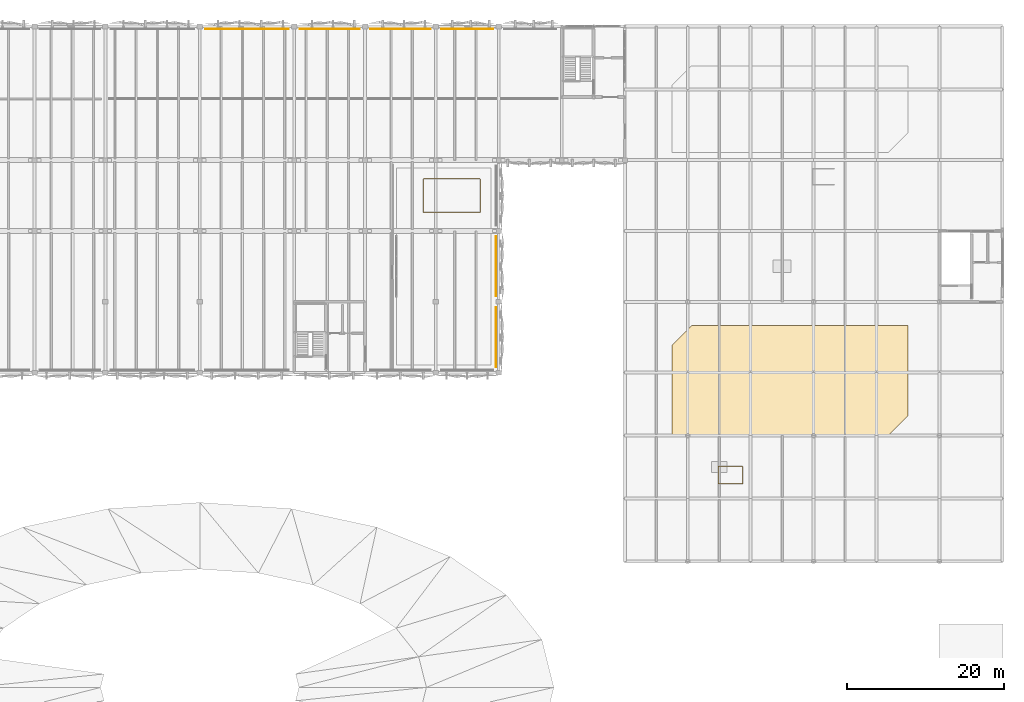
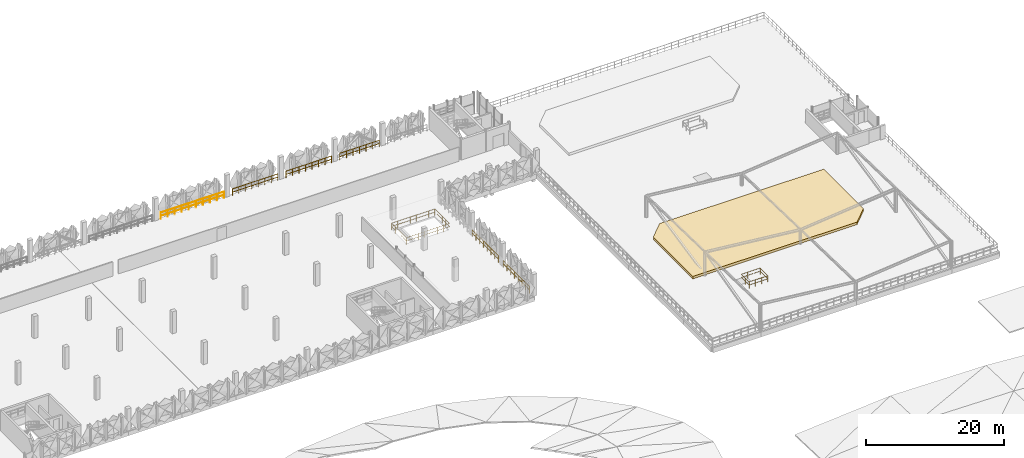
# One storey, part 49 of 52: 8 railings, 1 covering.
"""IFC4 building model written with IfcOpenShell, lengths in metres."""

from ifc_helpers import new_model, si_unit, derived_unit, direction, frame, origin, origin_2d, place, context, subcontext, project, spatial, polyline, circle, outline, extrude, material, layer, layer_set, type_object, element, save


model = new_model("IFC4")

# Units and contexts
model_context = context("Model", 3, precision=1e-05, world=origin(), true_north=direction((0.0, 1.0)))
body_context = subcontext(model_context, "Body", "Model", "MODEL_VIEW")
ifc_project = project(units=[si_unit("LENGTHUNIT", "METRE"), si_unit("AREAUNIT", "SQUARE_METRE"), si_unit("VOLUMEUNIT", "CUBIC_METRE"), si_unit("PLANEANGLEUNIT", "RADIAN"), si_unit("MASSUNIT", "GRAM", prefix="KILO"), si_unit("THERMODYNAMICTEMPERATUREUNIT", "KELVIN"), derived_unit("THERMALTRANSMITTANCEUNIT", [(si_unit("POWERUNIT", "WATT"), 1), (si_unit("AREAUNIT", "SQUARE_METRE"), -1), (si_unit("THERMODYNAMICTEMPERATUREUNIT", "KELVIN"), -1)])], contexts=[model_context])

# Site, building, storey
site_placement = place(None, origin())
site = spatial("IfcSite", under=ifc_project, at=site_placement, CompositionType="ELEMENT")
building_placement = place(site_placement, origin())
building = spatial("IfcBuilding", under=site, at=building_placement, Name="Haiyu Intermodal Mobility Hub", CompositionType="ELEMENT")
storey_placement = place(building_placement, frame((0.0, 0.0, 21.199951171875)))
storey = spatial("IfcBuildingStorey", under=building, at=storey_placement, Name="L05", CompositionType="ELEMENT", Elevation=21.199951171875)

# Covering
ifc_material_1 = material(Name="Acrylic sports court surfacing")
ifc_layer = layer(ifc_material_1, 0.030029296875)
ifc_layer_set = layer_set([ifc_layer], Name="Acrylic sports court surfacing")
covering_type = type_object("IfcCoveringType", Name="COV-CV07", PredefinedType="FLOORING", material=ifc_layer_set)
covering_placement = place(storey_placement, origin())
element("IfcCovering", 1, at=covering_placement, inside=storey, type_object=covering_type, Name="Sponge-City Planted Roof Garden Bed 03", PredefinedType="FLOORING", context=body_context, shape_type="SweptSolid", body=[
    extrude(outline(polyline([(168.0, 96.0), (195.5, 96.0), (198.0, 98.5), (198.0, 110.0), (170.5, 110.0), (168.0, 107.5), (168.0, 96.0)])), origin(), (0.0, 0.0, 1.0), 0.449951171875),
])

# Railings
ifc_material_2 = material(Name="Steel Q355C", Category="steel")
railing_type_1 = type_object("IfcRailingType", Name="RAL-GR01", PredefinedType="GUARDRAIL", material=ifc_material_2)
railing_1_placement = place(storey_placement, frame((119.300048828125, 147.659912109375, 0.0)))
element("IfcRailing", 2, at=railing_1_placement, inside=storey, type_object=railing_type_1, Name="RAL-CAR-N-0060", PredefinedType="GUARDRAIL", context=body_context, shape_type="SweptSolid", body=[
    extrude(circle(Radius=0.02392578125, at=origin_2d()), frame((-0.030029296875, 0.0, 1.17578125), z_axis=(-1.0, 0.0, 0.0), x_axis=(0.0, -1.0, 0.0)), (0.0, 0.0, 1.0), 10.5400390625),
    extrude(circle(Radius=0.02392578125, at=origin_2d()), frame((-0.037353515625, 0.0, 0.60009765625), z_axis=(-1.0, 0.0, 0.0), x_axis=(0.0, -1.0, 0.0)), (0.0, 0.0, 1.0), 1.103271484375),
    extrude(circle(Radius=0.02392578125, at=origin_2d()), frame((-1.215087890625, 0.0, 0.60009765625), z_axis=(-1.0, 0.0, 0.0), x_axis=(0.0, -1.0, 0.0)), (0.0, 0.0, 1.0), 1.103271484375),
    extrude(circle(Radius=0.02392578125, at=origin_2d()), frame((-2.392822265625, 0.0, 0.60009765625), z_axis=(-1.0, 0.0, 0.0), x_axis=(0.0, -1.0, 0.0)), (0.0, 0.0, 1.0), 1.103271484375),
    extrude(circle(Radius=0.02392578125, at=origin_2d()), frame((-3.570556640625, 0.0, 0.60009765625), z_axis=(-1.0, 0.0, 0.0), x_axis=(0.0, -1.0, 0.0)), (0.0, 0.0, 1.0), 1.103271484375),
    extrude(circle(Radius=0.02392578125, at=origin_2d()), frame((-4.74853515625, 0.0, 0.60009765625), z_axis=(-1.0, 0.0, 0.0), x_axis=(0.0, -1.0, 0.0)), (0.0, 0.0, 1.0), 1.103271484375),
    extrude(circle(Radius=0.02392578125, at=origin_2d()), frame((-5.92626953125, 0.0, 0.60009765625), z_axis=(-1.0, 0.0, 0.0), x_axis=(0.0, -1.0, 0.0)), (0.0, 0.0, 1.0), 1.103271484375),
    extrude(circle(Radius=0.02392578125, at=origin_2d()), frame((-7.10400390625, 0.0, 0.60009765625), z_axis=(-1.0, 0.0, 0.0), x_axis=(0.0, -1.0, 0.0)), (0.0, 0.0, 1.0), 1.103271484375),
    extrude(circle(Radius=0.02392578125, at=origin_2d()), frame((-8.28173828125, 0.0, 0.60009765625), z_axis=(-1.0, 0.0, 0.0), x_axis=(0.0, -1.0, 0.0)), (0.0, 0.0, 1.0), 1.103271484375),
    extrude(circle(Radius=0.02392578125, at=origin_2d()), frame((-9.459716796875, 0.0, 0.60009765625), z_axis=(-1.0, 0.0, 0.0), x_axis=(0.0, -1.0, 0.0)), (0.0, 0.0, 1.0), 1.103271484375),
    extrude(circle(Radius=0.02099609375, at=origin_2d()), origin(), (0.0, 0.0, 1.0), 1.143798828125),
    extrude(circle(Radius=0.02099609375, at=origin_2d()), frame((-1.177734375, 0.0, 0.0)), (0.0, 0.0, 1.0), 1.143798828125),
    extrude(circle(Radius=0.02099609375, at=origin_2d()), frame((-2.35546875, 0.0, 0.0)), (0.0, 0.0, 1.0), 1.143798828125),
    extrude(circle(Radius=0.02099609375, at=origin_2d()), frame((-3.533447265625, 0.0, 0.0)), (0.0, 0.0, 1.0), 1.143798828125),
    extrude(circle(Radius=0.02099609375, at=origin_2d()), frame((-4.711181640625, 0.0, 0.0)), (0.0, 0.0, 1.0), 1.143798828125),
    extrude(circle(Radius=0.02099609375, at=origin_2d()), frame((-5.888916015625, 0.0, 0.0)), (0.0, 0.0, 1.0), 1.143798828125),
    extrude(circle(Radius=0.02099609375, at=origin_2d()), frame((-7.066650390625, 0.0, 0.0)), (0.0, 0.0, 1.0), 1.143798828125),
    extrude(circle(Radius=0.02099609375, at=origin_2d()), frame((-8.24462890625, 0.0, 0.0)), (0.0, 0.0, 1.0), 1.143798828125),
    extrude(circle(Radius=0.02099609375, at=origin_2d()), frame((-9.42236328125, 0.0, 0.0)), (0.0, 0.0, 1.0), 1.143798828125),
    extrude(circle(Radius=0.02099609375, at=origin_2d()), frame((-10.60009765625, 0.0, 0.0)), (0.0, 0.0, 1.0), 1.143798828125),
])
railing_2_placement = place(storey_placement, frame((128.300048828125, 147.659912109375, 0.0)))
element("IfcRailing", 3, at=railing_2_placement, inside=storey, type_object=railing_type_1, Name="RAL-CAR-N-0065", PredefinedType="GUARDRAIL", context=body_context, shape_type="SweptSolid", body=[
    extrude(circle(Radius=0.02392578125, at=origin_2d()), frame((-0.030029296875, 0.0, 1.17578125), z_axis=(-1.0, 0.0, 0.0), x_axis=(0.0, -1.0, 0.0)), (0.0, 0.0, 1.0), 7.5400390625),
    extrude(circle(Radius=0.02392578125, at=origin_2d()), frame((-0.037353515625, 0.0, 0.60009765625), z_axis=(-1.0, 0.0, 0.0), x_axis=(0.0, -1.0, 0.0)), (0.0, 0.0, 1.0), 1.01123046875),
    extrude(circle(Radius=0.02392578125, at=origin_2d()), frame((-1.123046875, 0.0, 0.60009765625), z_axis=(-1.0, 0.0, 0.0), x_axis=(0.0, -1.0, 0.0)), (0.0, 0.0, 1.0), 1.01123046875),
    extrude(circle(Radius=0.02392578125, at=origin_2d()), frame((-2.208740234375, 0.0, 0.60009765625), z_axis=(-1.0, 0.0, 0.0), x_axis=(0.0, -1.0, 0.0)), (0.0, 0.0, 1.0), 1.01123046875),
    extrude(circle(Radius=0.02392578125, at=origin_2d()), frame((-3.29443359375, 0.0, 0.60009765625), z_axis=(-1.0, 0.0, 0.0), x_axis=(0.0, -1.0, 0.0)), (0.0, 0.0, 1.0), 1.01123046875),
    extrude(circle(Radius=0.02392578125, at=origin_2d()), frame((-4.380126953125, 0.0, 0.60009765625), z_axis=(-1.0, 0.0, 0.0), x_axis=(0.0, -1.0, 0.0)), (0.0, 0.0, 1.0), 1.01123046875),
    extrude(circle(Radius=0.02392578125, at=origin_2d()), frame((-5.4658203125, 0.0, 0.60009765625), z_axis=(-1.0, 0.0, 0.0), x_axis=(0.0, -1.0, 0.0)), (0.0, 0.0, 1.0), 1.01123046875),
    extrude(circle(Radius=0.02392578125, at=origin_2d()), frame((-6.5517578125, 0.0, 0.60009765625), z_axis=(-1.0, 0.0, 0.0), x_axis=(0.0, -1.0, 0.0)), (0.0, 0.0, 1.0), 1.01123046875),
    extrude(circle(Radius=0.02099609375, at=origin_2d()), origin(), (0.0, 0.0, 1.0), 1.143798828125),
    extrude(circle(Radius=0.02099609375, at=origin_2d()), frame((-1.085693359375, 0.0, 0.0)), (0.0, 0.0, 1.0), 1.143798828125),
    extrude(circle(Radius=0.02099609375, at=origin_2d()), frame((-2.17138671875, 0.0, 0.0)), (0.0, 0.0, 1.0), 1.143798828125),
    extrude(circle(Radius=0.02099609375, at=origin_2d()), frame((-3.257080078125, 0.0, 0.0)), (0.0, 0.0, 1.0), 1.143798828125),
    extrude(circle(Radius=0.02099609375, at=origin_2d()), frame((-4.343017578125, 0.0, 0.0)), (0.0, 0.0, 1.0), 1.143798828125),
    extrude(circle(Radius=0.02099609375, at=origin_2d()), frame((-5.4287109375, 0.0, 0.0)), (0.0, 0.0, 1.0), 1.143798828125),
    extrude(circle(Radius=0.02099609375, at=origin_2d()), frame((-6.514404296875, 0.0, 0.0)), (0.0, 0.0, 1.0), 1.143798828125),
    extrude(circle(Radius=0.02099609375, at=origin_2d()), frame((-7.60009765625, 0.0, 0.0)), (0.0, 0.0, 1.0), 1.143798828125),
])
railing_3_placement = place(storey_placement, frame((137.300048828125, 147.659912109375, 0.0)))
element("IfcRailing", 4, at=railing_3_placement, inside=storey, type_object=railing_type_1, Name="RAL-CAR-N-0071", PredefinedType="GUARDRAIL", context=body_context, shape_type="SweptSolid", body=[
    extrude(circle(Radius=0.02392578125, at=origin_2d()), frame((-0.030029296875, 0.0, 1.17578125), z_axis=(-1.0, 0.0, 0.0), x_axis=(0.0, -1.0, 0.0)), (0.0, 0.0, 1.0), 7.5400390625),
    extrude(circle(Radius=0.02392578125, at=origin_2d()), frame((-0.037353515625, 0.0, 0.60009765625), z_axis=(-1.0, 0.0, 0.0), x_axis=(0.0, -1.0, 0.0)), (0.0, 0.0, 1.0), 1.01123046875),
    extrude(circle(Radius=0.02392578125, at=origin_2d()), frame((-1.123046875, 0.0, 0.60009765625), z_axis=(-1.0, 0.0, 0.0), x_axis=(0.0, -1.0, 0.0)), (0.0, 0.0, 1.0), 1.01123046875),
    extrude(circle(Radius=0.02392578125, at=origin_2d()), frame((-2.208740234375, 0.0, 0.60009765625), z_axis=(-1.0, 0.0, 0.0), x_axis=(0.0, -1.0, 0.0)), (0.0, 0.0, 1.0), 1.01123046875),
    extrude(circle(Radius=0.02392578125, at=origin_2d()), frame((-3.29443359375, 0.0, 0.60009765625), z_axis=(-1.0, 0.0, 0.0), x_axis=(0.0, -1.0, 0.0)), (0.0, 0.0, 1.0), 1.01123046875),
    extrude(circle(Radius=0.02392578125, at=origin_2d()), frame((-4.380126953125, 0.0, 0.60009765625), z_axis=(-1.0, 0.0, 0.0), x_axis=(0.0, -1.0, 0.0)), (0.0, 0.0, 1.0), 1.01123046875),
    extrude(circle(Radius=0.02392578125, at=origin_2d()), frame((-5.4658203125, 0.0, 0.60009765625), z_axis=(-1.0, 0.0, 0.0), x_axis=(0.0, -1.0, 0.0)), (0.0, 0.0, 1.0), 1.01123046875),
    extrude(circle(Radius=0.02392578125, at=origin_2d()), frame((-6.5517578125, 0.0, 0.60009765625), z_axis=(-1.0, 0.0, 0.0), x_axis=(0.0, -1.0, 0.0)), (0.0, 0.0, 1.0), 1.01123046875),
    extrude(circle(Radius=0.02099609375, at=origin_2d()), origin(), (0.0, 0.0, 1.0), 1.143798828125),
    extrude(circle(Radius=0.02099609375, at=origin_2d()), frame((-1.085693359375, 0.0, 0.0)), (0.0, 0.0, 1.0), 1.143798828125),
    extrude(circle(Radius=0.02099609375, at=origin_2d()), frame((-2.17138671875, 0.0, 0.0)), (0.0, 0.0, 1.0), 1.143798828125),
    extrude(circle(Radius=0.02099609375, at=origin_2d()), frame((-3.257080078125, 0.0, 0.0)), (0.0, 0.0, 1.0), 1.143798828125),
    extrude(circle(Radius=0.02099609375, at=origin_2d()), frame((-4.343017578125, 0.0, 0.0)), (0.0, 0.0, 1.0), 1.143798828125),
    extrude(circle(Radius=0.02099609375, at=origin_2d()), frame((-5.4287109375, 0.0, 0.0)), (0.0, 0.0, 1.0), 1.143798828125),
    extrude(circle(Radius=0.02099609375, at=origin_2d()), frame((-6.514404296875, 0.0, 0.0)), (0.0, 0.0, 1.0), 1.143798828125),
    extrude(circle(Radius=0.02099609375, at=origin_2d()), frame((-7.60009765625, 0.0, 0.0)), (0.0, 0.0, 1.0), 1.143798828125),
])
railing_4_placement = place(storey_placement, frame((145.300048828125, 147.659912109375, 0.0)))
element("IfcRailing", 5, at=railing_4_placement, inside=storey, type_object=railing_type_1, Name="RAL-CAR-N-0076", PredefinedType="GUARDRAIL", context=body_context, shape_type="SweptSolid", body=[
    extrude(circle(Radius=0.02392578125, at=origin_2d()), frame((-0.030029296875, 0.0, 1.17578125), z_axis=(-1.0, 0.0, 0.0), x_axis=(0.0, -1.0, 0.0)), (0.0, 0.0, 1.0), 6.5400390625),
    extrude(circle(Radius=0.02392578125, at=origin_2d()), frame((-0.037353515625, 0.0, 0.60009765625), z_axis=(-1.0, 0.0, 0.0), x_axis=(0.0, -1.0, 0.0)), (0.0, 0.0, 1.0), 1.025390625),
    extrude(circle(Radius=0.02392578125, at=origin_2d()), frame((-1.13720703125, 0.0, 0.60009765625), z_axis=(-1.0, 0.0, 0.0), x_axis=(0.0, -1.0, 0.0)), (0.0, 0.0, 1.0), 1.025390625),
    extrude(circle(Radius=0.02392578125, at=origin_2d()), frame((-2.2373046875, 0.0, 0.60009765625), z_axis=(-1.0, 0.0, 0.0), x_axis=(0.0, -1.0, 0.0)), (0.0, 0.0, 1.0), 1.025390625),
    extrude(circle(Radius=0.02392578125, at=origin_2d()), frame((-3.33740234375, 0.0, 0.60009765625), z_axis=(-1.0, 0.0, 0.0), x_axis=(0.0, -1.0, 0.0)), (0.0, 0.0, 1.0), 1.025390625),
    extrude(circle(Radius=0.02392578125, at=origin_2d()), frame((-4.437255859375, 0.0, 0.60009765625), z_axis=(-1.0, 0.0, 0.0), x_axis=(0.0, -1.0, 0.0)), (0.0, 0.0, 1.0), 1.025390625),
    extrude(circle(Radius=0.02392578125, at=origin_2d()), frame((-5.537353515625, 0.0, 0.60009765625), z_axis=(-1.0, 0.0, 0.0), x_axis=(0.0, -1.0, 0.0)), (0.0, 0.0, 1.0), 1.025390625),
    extrude(circle(Radius=0.02099609375, at=origin_2d()), origin(), (0.0, 0.0, 1.0), 1.143798828125),
    extrude(circle(Radius=0.02099609375, at=origin_2d()), frame((-1.10009765625, 0.0, 0.0)), (0.0, 0.0, 1.0), 1.143798828125),
    extrude(circle(Radius=0.02099609375, at=origin_2d()), frame((-2.199951171875, 0.0, 0.0)), (0.0, 0.0, 1.0), 1.143798828125),
    extrude(circle(Radius=0.02099609375, at=origin_2d()), frame((-3.300048828125, 0.0, 0.0)), (0.0, 0.0, 1.0), 1.143798828125),
    extrude(circle(Radius=0.02099609375, at=origin_2d()), frame((-4.400146484375, 0.0, 0.0)), (0.0, 0.0, 1.0), 1.143798828125),
    extrude(circle(Radius=0.02099609375, at=origin_2d()), frame((-5.5, 0.0, 0.0)), (0.0, 0.0, 1.0), 1.143798828125),
    extrude(circle(Radius=0.02099609375, at=origin_2d()), frame((-6.60009765625, 0.0, 0.0)), (0.0, 0.0, 1.0), 1.143798828125),
])
railing_5_placement = place(storey_placement, frame((145.659912109375, 104.699951171875, 0.0)))
element("IfcRailing", 6, at=railing_5_placement, inside=storey, type_object=railing_type_1, Name="RAL-CAR-E-0105", PredefinedType="GUARDRAIL", context=body_context, shape_type="SweptSolid", body=[
    extrude(circle(Radius=0.02392578125, at=origin_2d()), frame((0.0, 0.030029296875, 1.17578125), z_axis=(0.0, 1.0, 0.0), x_axis=(-1.0, 0.0, 0.0)), (0.0, 0.0, 1.0), 7.5400390625),
    extrude(circle(Radius=0.02392578125, at=origin_2d()), frame((0.0, 0.037353515625, 0.60009765625), z_axis=(0.0, 1.0, 0.0), x_axis=(-1.0, 0.0, 0.0)), (0.0, 0.0, 1.0), 1.01123046875),
    extrude(circle(Radius=0.02392578125, at=origin_2d()), frame((0.0, 1.123046875, 0.60009765625), z_axis=(0.0, 1.0, 0.0), x_axis=(-1.0, 0.0, 0.0)), (0.0, 0.0, 1.0), 1.01123046875),
    extrude(circle(Radius=0.02392578125, at=origin_2d()), frame((0.0, 2.208740234375, 0.60009765625), z_axis=(0.0, 1.0, 0.0), x_axis=(-1.0, 0.0, 0.0)), (0.0, 0.0, 1.0), 1.01123046875),
    extrude(circle(Radius=0.02392578125, at=origin_2d()), frame((0.0, 3.29443359375, 0.60009765625), z_axis=(0.0, 1.0, 0.0), x_axis=(-1.0, 0.0, 0.0)), (0.0, 0.0, 1.0), 1.01123046875),
    extrude(circle(Radius=0.02392578125, at=origin_2d()), frame((0.0, 4.380126953125, 0.60009765625), z_axis=(0.0, 1.0, 0.0), x_axis=(-1.0, 0.0, 0.0)), (0.0, 0.0, 1.0), 1.01123046875),
    extrude(circle(Radius=0.02392578125, at=origin_2d()), frame((0.0, 5.4658203125, 0.60009765625), z_axis=(0.0, 1.0, 0.0), x_axis=(-1.0, 0.0, 0.0)), (0.0, 0.0, 1.0), 1.01123046875),
    extrude(circle(Radius=0.02392578125, at=origin_2d()), frame((0.0, 6.5517578125, 0.60009765625), z_axis=(0.0, 1.0, 0.0), x_axis=(-1.0, 0.0, 0.0)), (0.0, 0.0, 1.0), 1.01123046875),
    extrude(circle(Radius=0.02099609375, at=origin_2d()), origin(), (0.0, 0.0, 1.0), 1.143798828125),
    extrude(circle(Radius=0.02099609375, at=origin_2d()), frame((0.0, 1.085693359375, 0.0)), (0.0, 0.0, 1.0), 1.143798828125),
    extrude(circle(Radius=0.02099609375, at=origin_2d()), frame((0.0, 2.17138671875, 0.0)), (0.0, 0.0, 1.0), 1.143798828125),
    extrude(circle(Radius=0.02099609375, at=origin_2d()), frame((0.0, 3.257080078125, 0.0)), (0.0, 0.0, 1.0), 1.143798828125),
    extrude(circle(Radius=0.02099609375, at=origin_2d()), frame((0.0, 4.343017578125, 0.0)), (0.0, 0.0, 1.0), 1.143798828125),
    extrude(circle(Radius=0.02099609375, at=origin_2d()), frame((0.0, 5.4287109375, 0.0)), (0.0, 0.0, 1.0), 1.143798828125),
    extrude(circle(Radius=0.02099609375, at=origin_2d()), frame((0.0, 6.514404296875, 0.0)), (0.0, 0.0, 1.0), 1.143798828125),
    extrude(circle(Radius=0.02099609375, at=origin_2d()), frame((0.0, 7.60009765625, 0.0)), (0.0, 0.0, 1.0), 1.143798828125),
])
railing_6_placement = place(storey_placement, frame((145.659912109375, 113.699951171875, 0.0)))
element("IfcRailing", 7, at=railing_6_placement, inside=storey, type_object=railing_type_1, Name="RAL-CAR-E-0106", PredefinedType="GUARDRAIL", context=body_context, shape_type="SweptSolid", body=[
    extrude(circle(Radius=0.02392578125, at=origin_2d()), frame((0.0, 0.030029296875, 1.17578125), z_axis=(0.0, 1.0, 0.0), x_axis=(-1.0, 0.0, 0.0)), (0.0, 0.0, 1.0), 7.5400390625),
    extrude(circle(Radius=0.02392578125, at=origin_2d()), frame((0.0, 0.037353515625, 0.60009765625), z_axis=(0.0, 1.0, 0.0), x_axis=(-1.0, 0.0, 0.0)), (0.0, 0.0, 1.0), 1.01123046875),
    extrude(circle(Radius=0.02392578125, at=origin_2d()), frame((0.0, 1.123046875, 0.60009765625), z_axis=(0.0, 1.0, 0.0), x_axis=(-1.0, 0.0, 0.0)), (0.0, 0.0, 1.0), 1.01123046875),
    extrude(circle(Radius=0.02392578125, at=origin_2d()), frame((0.0, 2.208740234375, 0.60009765625), z_axis=(0.0, 1.0, 0.0), x_axis=(-1.0, 0.0, 0.0)), (0.0, 0.0, 1.0), 1.01123046875),
    extrude(circle(Radius=0.02392578125, at=origin_2d()), frame((0.0, 3.29443359375, 0.60009765625), z_axis=(0.0, 1.0, 0.0), x_axis=(-1.0, 0.0, 0.0)), (0.0, 0.0, 1.0), 1.01123046875),
    extrude(circle(Radius=0.02392578125, at=origin_2d()), frame((0.0, 4.380126953125, 0.60009765625), z_axis=(0.0, 1.0, 0.0), x_axis=(-1.0, 0.0, 0.0)), (0.0, 0.0, 1.0), 1.01123046875),
    extrude(circle(Radius=0.02392578125, at=origin_2d()), frame((0.0, 5.4658203125, 0.60009765625), z_axis=(0.0, 1.0, 0.0), x_axis=(-1.0, 0.0, 0.0)), (0.0, 0.0, 1.0), 1.01123046875),
    extrude(circle(Radius=0.02392578125, at=origin_2d()), frame((0.0, 6.5517578125, 0.60009765625), z_axis=(0.0, 1.0, 0.0), x_axis=(-1.0, 0.0, 0.0)), (0.0, 0.0, 1.0), 1.01123046875),
    extrude(circle(Radius=0.02099609375, at=origin_2d()), origin(), (0.0, 0.0, 1.0), 1.143798828125),
    extrude(circle(Radius=0.02099609375, at=origin_2d()), frame((0.0, 1.085693359375, 0.0)), (0.0, 0.0, 1.0), 1.143798828125),
    extrude(circle(Radius=0.02099609375, at=origin_2d()), frame((0.0, 2.17138671875, 0.0)), (0.0, 0.0, 1.0), 1.143798828125),
    extrude(circle(Radius=0.02099609375, at=origin_2d()), frame((0.0, 3.257080078125, 0.0)), (0.0, 0.0, 1.0), 1.143798828125),
    extrude(circle(Radius=0.02099609375, at=origin_2d()), frame((0.0, 4.343017578125, 0.0)), (0.0, 0.0, 1.0), 1.143798828125),
    extrude(circle(Radius=0.02099609375, at=origin_2d()), frame((0.0, 5.4287109375, 0.0)), (0.0, 0.0, 1.0), 1.143798828125),
    extrude(circle(Radius=0.02099609375, at=origin_2d()), frame((0.0, 6.514404296875, 0.0)), (0.0, 0.0, 1.0), 1.143798828125),
    extrude(circle(Radius=0.02099609375, at=origin_2d()), frame((0.0, 7.60009765625, 0.0)), (0.0, 0.0, 1.0), 1.143798828125),
])
railing_7_placement = place(storey_placement, frame((136.3798828125, 124.3798828125, 0.0)))
element("IfcRailing", 8, at=railing_7_placement, inside=storey, type_object=railing_type_1, Name="RAL-V4VOID-L05-E", PredefinedType="GUARDRAIL", context=body_context, shape_type="SweptSolid", body=[
    extrude(circle(Radius=0.02392578125, at=origin_2d()), frame((0.030029296875, 0.0, 1.15576171875), z_axis=(1.0, 0.0, 0.0), x_axis=(0.0, 1.0, 0.0)), (0.0, 0.0, 1.0), 7.18017578125),
    extrude(circle(Radius=0.02392578125, at=origin_2d()), frame((0.037353515625, 0.0, 0.58984375), z_axis=(1.0, 0.0, 0.0), x_axis=(0.0, 1.0, 0.0)), (0.0, 0.0, 1.0), 0.959716796875),
    extrude(circle(Radius=0.02392578125, at=origin_2d()), frame((1.071533203125, 0.0, 0.58984375), z_axis=(1.0, 0.0, 0.0), x_axis=(0.0, 1.0, 0.0)), (0.0, 0.0, 1.0), 0.959716796875),
    extrude(circle(Radius=0.02392578125, at=origin_2d()), frame((2.10595703125, 0.0, 0.58984375), z_axis=(1.0, 0.0, 0.0), x_axis=(0.0, 1.0, 0.0)), (0.0, 0.0, 1.0), 0.959716796875),
    extrude(circle(Radius=0.02392578125, at=origin_2d()), frame((3.14013671875, 0.0, 0.58984375), z_axis=(1.0, 0.0, 0.0), x_axis=(0.0, 1.0, 0.0)), (0.0, 0.0, 1.0), 0.959716796875),
    extrude(circle(Radius=0.02392578125, at=origin_2d()), frame((4.174560546875, 0.0, 0.58984375), z_axis=(1.0, 0.0, 0.0), x_axis=(0.0, 1.0, 0.0)), (0.0, 0.0, 1.0), 0.959716796875),
    extrude(circle(Radius=0.02392578125, at=origin_2d()), frame((5.208984375, 0.0, 0.58984375), z_axis=(1.0, 0.0, 0.0), x_axis=(0.0, 1.0, 0.0)), (0.0, 0.0, 1.0), 0.959716796875),
    extrude(circle(Radius=0.02392578125, at=origin_2d()), frame((6.2431640625, 0.0, 0.58984375), z_axis=(1.0, 0.0, 0.0), x_axis=(0.0, 1.0, 0.0)), (0.0, 0.0, 1.0), 0.959716796875),
    extrude(circle(Radius=0.02392578125, at=origin_2d()), frame((7.240234375, 0.030029296875, 1.15576171875), z_axis=(0.0, 1.0, 0.0), x_axis=(-1.0, 0.0, 0.0)), (0.0, 0.0, 1.0), 4.18017578125),
    extrude(circle(Radius=0.02392578125, at=origin_2d()), frame((7.240234375, 0.037353515625, 0.58984375), z_axis=(0.0, 1.0, 0.0), x_axis=(-1.0, 0.0, 0.0)), (0.0, 0.0, 1.0), 0.9853515625),
    extrude(circle(Radius=0.02392578125, at=origin_2d()), frame((7.240234375, 1.097412109375, 0.58984375), z_axis=(0.0, 1.0, 0.0), x_axis=(-1.0, 0.0, 0.0)), (0.0, 0.0, 1.0), 0.9853515625),
    extrude(circle(Radius=0.02392578125, at=origin_2d()), frame((7.240234375, 2.157470703125, 0.58984375), z_axis=(0.0, 1.0, 0.0), x_axis=(-1.0, 0.0, 0.0)), (0.0, 0.0, 1.0), 0.9853515625),
    extrude(circle(Radius=0.02392578125, at=origin_2d()), frame((7.240234375, 3.217529296875, 0.58984375), z_axis=(0.0, 1.0, 0.0), x_axis=(-1.0, 0.0, 0.0)), (0.0, 0.0, 1.0), 0.9853515625),
    extrude(circle(Radius=0.02392578125, at=origin_2d()), frame((7.210205078125, 4.240234375, 1.15576171875), z_axis=(-1.0, 0.0, 0.0), x_axis=(0.0, -1.0, 0.0)), (0.0, 0.0, 1.0), 7.18017578125),
    extrude(circle(Radius=0.02392578125, at=origin_2d()), frame((7.202880859375, 4.240234375, 0.58984375), z_axis=(-1.0, 0.0, 0.0), x_axis=(0.0, -1.0, 0.0)), (0.0, 0.0, 1.0), 0.959716796875),
    extrude(circle(Radius=0.02392578125, at=origin_2d()), frame((6.168701171875, 4.240234375, 0.58984375), z_axis=(-1.0, 0.0, 0.0), x_axis=(0.0, -1.0, 0.0)), (0.0, 0.0, 1.0), 0.959716796875),
    extrude(circle(Radius=0.02392578125, at=origin_2d()), frame((5.13427734375, 4.240234375, 0.58984375), z_axis=(-1.0, 0.0, 0.0), x_axis=(0.0, -1.0, 0.0)), (0.0, 0.0, 1.0), 0.959716796875),
    extrude(circle(Radius=0.02392578125, at=origin_2d()), frame((4.10009765625, 4.240234375, 0.58984375), z_axis=(-1.0, 0.0, 0.0), x_axis=(0.0, -1.0, 0.0)), (0.0, 0.0, 1.0), 0.959716796875),
    extrude(circle(Radius=0.02392578125, at=origin_2d()), frame((3.065673828125, 4.240234375, 0.58984375), z_axis=(-1.0, 0.0, 0.0), x_axis=(0.0, -1.0, 0.0)), (0.0, 0.0, 1.0), 0.959716796875),
    extrude(circle(Radius=0.02392578125, at=origin_2d()), frame((2.03125, 4.240234375, 0.58984375), z_axis=(-1.0, 0.0, 0.0), x_axis=(0.0, -1.0, 0.0)), (0.0, 0.0, 1.0), 0.959716796875),
    extrude(circle(Radius=0.02392578125, at=origin_2d()), frame((0.9970703125, 4.240234375, 0.58984375), z_axis=(-1.0, 0.0, 0.0), x_axis=(0.0, -1.0, 0.0)), (0.0, 0.0, 1.0), 0.959716796875),
    extrude(circle(Radius=0.02392578125, at=origin_2d()), frame((0.0, 4.210205078125, 1.15576171875), z_axis=(0.0, -1.0, 0.0), x_axis=(1.0, 0.0, 0.0)), (0.0, 0.0, 1.0), 4.18017578125),
    extrude(circle(Radius=0.02392578125, at=origin_2d()), frame((0.0, 4.202880859375, 0.58984375), z_axis=(0.0, -1.0, 0.0), x_axis=(1.0, 0.0, 0.0)), (0.0, 0.0, 1.0), 0.9853515625),
    extrude(circle(Radius=0.02392578125, at=origin_2d()), frame((0.0, 3.142822265625, 0.58984375), z_axis=(0.0, -1.0, 0.0), x_axis=(1.0, 0.0, 0.0)), (0.0, 0.0, 1.0), 0.9853515625),
    extrude(circle(Radius=0.02392578125, at=origin_2d()), frame((0.0, 2.082763671875, 0.58984375), z_axis=(0.0, -1.0, 0.0), x_axis=(1.0, 0.0, 0.0)), (0.0, 0.0, 1.0), 0.9853515625),
    extrude(circle(Radius=0.02392578125, at=origin_2d()), frame((0.0, 1.022705078125, 0.58984375), z_axis=(0.0, -1.0, 0.0), x_axis=(1.0, 0.0, 0.0)), (0.0, 0.0, 1.0), 0.9853515625),
    extrude(circle(Radius=0.02099609375, at=origin_2d()), origin(), (0.0, 0.0, 1.0), 1.123779296875),
    extrude(circle(Radius=0.02099609375, at=origin_2d()), frame((1.034423828125, 0.0, 0.0)), (0.0, 0.0, 1.0), 1.123779296875),
    extrude(circle(Radius=0.02099609375, at=origin_2d()), frame((2.068603515625, 0.0, 0.0)), (0.0, 0.0, 1.0), 1.123779296875),
    extrude(circle(Radius=0.02099609375, at=origin_2d()), frame((3.10302734375, 0.0, 0.0)), (0.0, 0.0, 1.0), 1.123779296875),
    extrude(circle(Radius=0.02099609375, at=origin_2d()), frame((4.13720703125, 0.0, 0.0)), (0.0, 0.0, 1.0), 1.123779296875),
    extrude(circle(Radius=0.02099609375, at=origin_2d()), frame((5.171630859375, 0.0, 0.0)), (0.0, 0.0, 1.0), 1.123779296875),
    extrude(circle(Radius=0.02099609375, at=origin_2d()), frame((6.205810546875, 0.0, 0.0)), (0.0, 0.0, 1.0), 1.123779296875),
    extrude(circle(Radius=0.02099609375, at=origin_2d()), frame((7.240234375, 0.0, 0.0)), (0.0, 0.0, 1.0), 1.123779296875),
    extrude(circle(Radius=0.02099609375, at=origin_2d()), frame((7.240234375, 1.06005859375, 0.0)), (0.0, 0.0, 1.0), 1.123779296875),
    extrude(circle(Radius=0.02099609375, at=origin_2d()), frame((7.240234375, 2.1201171875, 0.0)), (0.0, 0.0, 1.0), 1.123779296875),
    extrude(circle(Radius=0.02099609375, at=origin_2d()), frame((7.240234375, 3.18017578125, 0.0)), (0.0, 0.0, 1.0), 1.123779296875),
    extrude(circle(Radius=0.02099609375, at=origin_2d()), frame((7.240234375, 4.240234375, 0.0)), (0.0, 0.0, 1.0), 1.123779296875),
    extrude(circle(Radius=0.02099609375, at=origin_2d()), frame((6.205810546875, 4.240234375, 0.0)), (0.0, 0.0, 1.0), 1.123779296875),
    extrude(circle(Radius=0.02099609375, at=origin_2d()), frame((5.171630859375, 4.240234375, 0.0)), (0.0, 0.0, 1.0), 1.123779296875),
    extrude(circle(Radius=0.02099609375, at=origin_2d()), frame((4.13720703125, 4.240234375, 0.0)), (0.0, 0.0, 1.0), 1.123779296875),
    extrude(circle(Radius=0.02099609375, at=origin_2d()), frame((3.10302734375, 4.240234375, 0.0)), (0.0, 0.0, 1.0), 1.123779296875),
    extrude(circle(Radius=0.02099609375, at=origin_2d()), frame((2.068603515625, 4.240234375, 0.0)), (0.0, 0.0, 1.0), 1.123779296875),
    extrude(circle(Radius=0.02099609375, at=origin_2d()), frame((1.034423828125, 4.240234375, 0.0)), (0.0, 0.0, 1.0), 1.123779296875),
    extrude(circle(Radius=0.02099609375, at=origin_2d()), frame((0.0, 4.240234375, 0.0)), (0.0, 0.0, 1.0), 1.123779296875),
    extrude(circle(Radius=0.02099609375, at=origin_2d()), frame((0.0, 3.18017578125, 0.0)), (0.0, 0.0, 1.0), 1.123779296875),
    extrude(circle(Radius=0.02099609375, at=origin_2d()), frame((0.0, 2.1201171875, 0.0)), (0.0, 0.0, 1.0), 1.123779296875),
    extrude(circle(Radius=0.02099609375, at=origin_2d()), frame((0.0, 1.06005859375, 0.0)), (0.0, 0.0, 1.0), 1.123779296875),
])
railing_type_2 = type_object("IfcRailingType", Name="RAL-GR02", PredefinedType="GUARDRAIL", material=ifc_material_2)
railing_8_placement = place(storey_placement, frame((173.8798828125, 89.8798828125, 0.0)))
element("IfcRailing", 9, at=railing_8_placement, inside=storey, type_object=railing_type_2, Name="RAL-V6RG-OPN1", PredefinedType="GUARDRAIL", context=body_context, shape_type="SweptSolid", body=[
    extrude(circle(Radius=0.02392578125, at=origin_2d()), frame((0.030029296875, 0.0, 1.1259765625), z_axis=(1.0, 0.0, 0.0), x_axis=(0.0, 1.0, 0.0)), (0.0, 0.0, 1.0), 3.080078125),
    extrude(circle(Radius=0.02392578125, at=origin_2d()), frame((0.037353515625, 0.0, 0.574951171875), z_axis=(1.0, 0.0, 0.0), x_axis=(0.0, 1.0, 0.0)), (0.0, 0.0, 1.0), 0.97216796875),
    extrude(circle(Radius=0.02392578125, at=origin_2d()), frame((1.083984375, 0.0, 0.574951171875), z_axis=(1.0, 0.0, 0.0), x_axis=(0.0, 1.0, 0.0)), (0.0, 0.0, 1.0), 0.97216796875),
    extrude(circle(Radius=0.02392578125, at=origin_2d()), frame((2.130615234375, 0.0, 0.574951171875), z_axis=(1.0, 0.0, 0.0), x_axis=(0.0, 1.0, 0.0)), (0.0, 0.0, 1.0), 0.97216796875),
    extrude(circle(Radius=0.02392578125, at=origin_2d()), frame((3.14013671875, 0.030029296875, 1.1259765625), z_axis=(0.0, 1.0, 0.0), x_axis=(-1.0, 0.0, 0.0)), (0.0, 0.0, 1.0), 2.18017578125),
    extrude(circle(Radius=0.02392578125, at=origin_2d()), frame((3.14013671875, 0.037353515625, 0.574951171875), z_axis=(0.0, 1.0, 0.0), x_axis=(-1.0, 0.0, 0.0)), (0.0, 0.0, 1.0), 1.04541015625),
    extrude(circle(Radius=0.02392578125, at=origin_2d()), frame((3.14013671875, 1.157470703125, 0.574951171875), z_axis=(0.0, 1.0, 0.0), x_axis=(-1.0, 0.0, 0.0)), (0.0, 0.0, 1.0), 1.04541015625),
    extrude(circle(Radius=0.02392578125, at=origin_2d()), frame((3.110107421875, 2.240234375, 1.1259765625), z_axis=(-1.0, 0.0, 0.0), x_axis=(0.0, -1.0, 0.0)), (0.0, 0.0, 1.0), 3.080078125),
    extrude(circle(Radius=0.02392578125, at=origin_2d()), frame((3.102783203125, 2.240234375, 0.574951171875), z_axis=(-1.0, 0.0, 0.0), x_axis=(0.0, -1.0, 0.0)), (0.0, 0.0, 1.0), 0.97216796875),
    extrude(circle(Radius=0.02392578125, at=origin_2d()), frame((2.05615234375, 2.240234375, 0.574951171875), z_axis=(-1.0, 0.0, 0.0), x_axis=(0.0, -1.0, 0.0)), (0.0, 0.0, 1.0), 0.97216796875),
    extrude(circle(Radius=0.02392578125, at=origin_2d()), frame((1.009521484375, 2.240234375, 0.574951171875), z_axis=(-1.0, 0.0, 0.0), x_axis=(0.0, -1.0, 0.0)), (0.0, 0.0, 1.0), 0.97216796875),
    extrude(circle(Radius=0.02392578125, at=origin_2d()), frame((0.0, 2.210205078125, 1.1259765625), z_axis=(0.0, -1.0, 0.0), x_axis=(1.0, 0.0, 0.0)), (0.0, 0.0, 1.0), 2.18017578125),
    extrude(circle(Radius=0.02392578125, at=origin_2d()), frame((0.0, 2.202880859375, 0.574951171875), z_axis=(0.0, -1.0, 0.0), x_axis=(1.0, 0.0, 0.0)), (0.0, 0.0, 1.0), 1.04541015625),
    extrude(circle(Radius=0.02392578125, at=origin_2d()), frame((0.0, 1.082763671875, 0.574951171875), z_axis=(0.0, -1.0, 0.0), x_axis=(1.0, 0.0, 0.0)), (0.0, 0.0, 1.0), 1.04541015625),
    extrude(circle(Radius=0.02099609375, at=origin_2d()), origin(), (0.0, 0.0, 1.0), 1.09375),
    extrude(circle(Radius=0.02099609375, at=origin_2d()), frame((1.046630859375, 0.0, 0.0)), (0.0, 0.0, 1.0), 1.09375),
    extrude(circle(Radius=0.02099609375, at=origin_2d()), frame((2.093505859375, 0.0, 0.0)), (0.0, 0.0, 1.0), 1.09375),
    extrude(circle(Radius=0.02099609375, at=origin_2d()), frame((3.14013671875, 0.0, 0.0)), (0.0, 0.0, 1.0), 1.09375),
    extrude(circle(Radius=0.02099609375, at=origin_2d()), frame((3.14013671875, 1.1201171875, 0.0)), (0.0, 0.0, 1.0), 1.09375),
    extrude(circle(Radius=0.02099609375, at=origin_2d()), frame((3.14013671875, 2.240234375, 0.0)), (0.0, 0.0, 1.0), 1.09375),
    extrude(circle(Radius=0.02099609375, at=origin_2d()), frame((2.093505859375, 2.240234375, 0.0)), (0.0, 0.0, 1.0), 1.09375),
    extrude(circle(Radius=0.02099609375, at=origin_2d()), frame((1.046630859375, 2.240234375, 0.0)), (0.0, 0.0, 1.0), 1.09375),
    extrude(circle(Radius=0.02099609375, at=origin_2d()), frame((0.0, 2.240234375, 0.0)), (0.0, 0.0, 1.0), 1.09375),
    extrude(circle(Radius=0.02099609375, at=origin_2d()), frame((0.0, 1.1201171875, 0.0)), (0.0, 0.0, 1.0), 1.09375),
])

save(model, "model.ifc")
